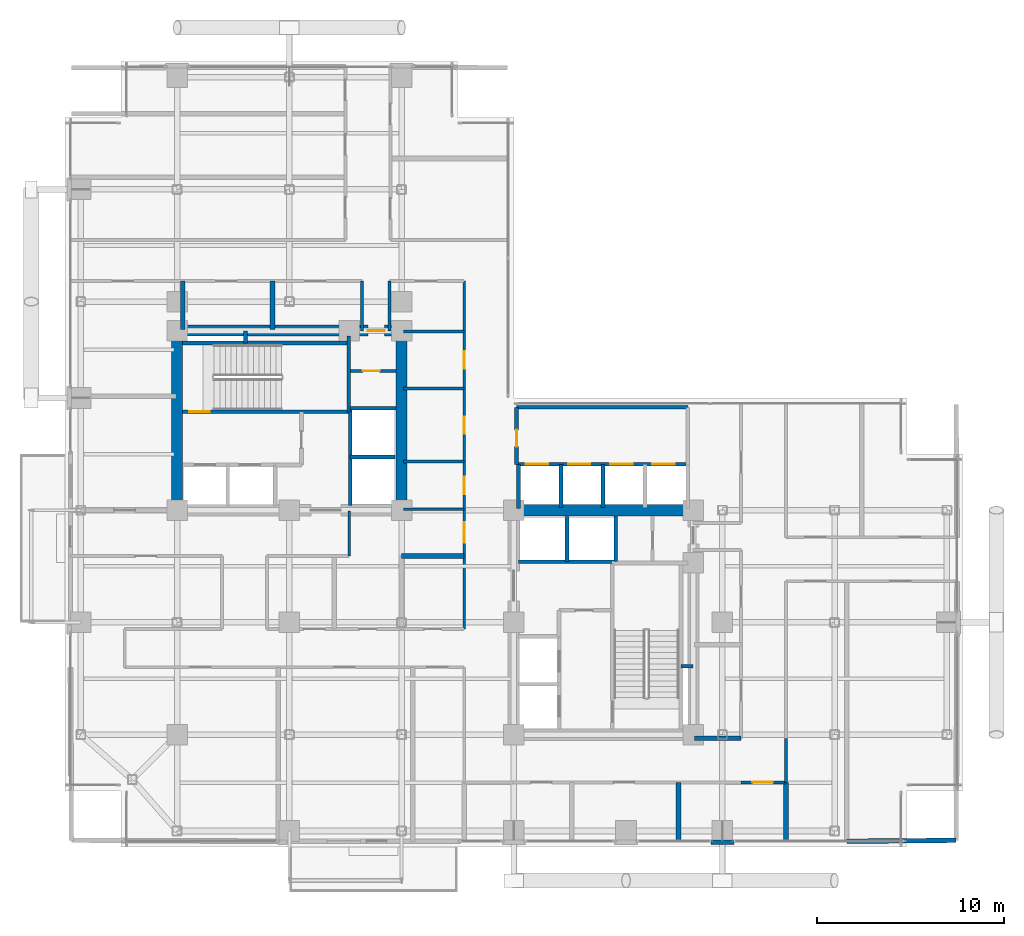
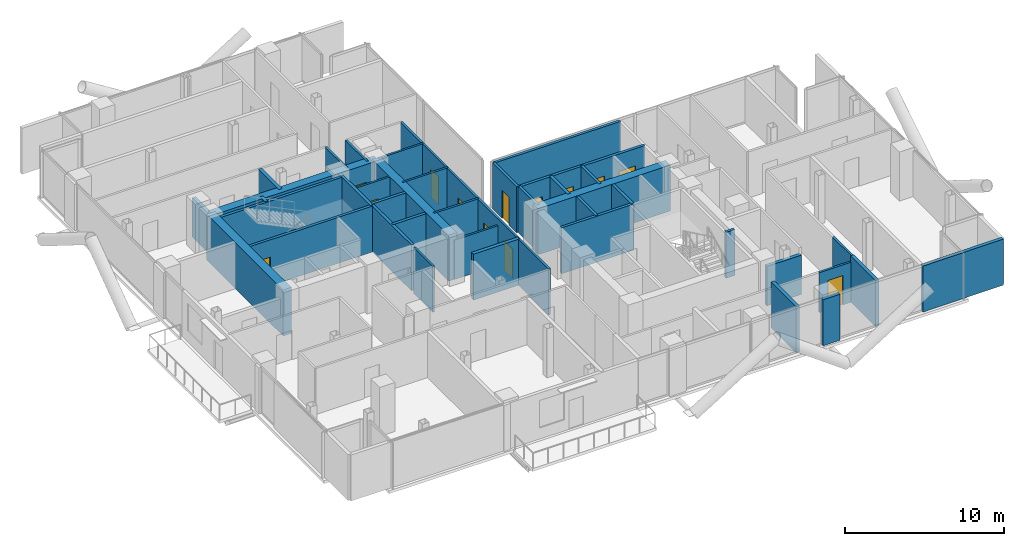
# One storey, part 20 of 24: 40 walls, 13 doors, 13 openings.
"""IFC4 building model written with IfcOpenShell, lengths in metres."""

from ifc_helpers import new_model, si_unit, direction, frame, frame_2d, origin, place, context, subcontext, project, spatial, rectangle, extrude, material, layer, layer_set, type_object, element, fill, save


model = new_model("IFC4")

# Units and contexts
model_context = context("Model", 3, precision=1e-05, world=origin(), true_north=direction((0.0, 1.0)))
body_context = subcontext(model_context, "Body", "Model", "MODEL_VIEW")
ifc_project = project(units=[si_unit("LENGTHUNIT", "METRE"), si_unit("AREAUNIT", "SQUARE_METRE"), si_unit("VOLUMEUNIT", "CUBIC_METRE"), si_unit("PLANEANGLEUNIT", "RADIAN"), si_unit("MASSUNIT", "GRAM", prefix="KILO"), si_unit("THERMODYNAMICTEMPERATUREUNIT", "KELVIN"), si_unit("POWERUNIT", "WATT")], contexts=[model_context])

# Site, building, storey
site_placement = place(None, origin())
site = spatial("IfcSite", under=ifc_project, at=site_placement, CompositionType="ELEMENT")
building_placement = place(site_placement, origin())
building = spatial("IfcBuilding", under=site, at=building_placement, Name="Svarakhadi Broadcast Tower", CompositionType="ELEMENT")
storey_placement = place(building_placement, frame((0.0, 0.0, 130.64990234375)))
storey = spatial("IfcBuildingStorey", under=building, at=storey_placement, Name="L31", CompositionType="ELEMENT", Elevation=130.64990234375)

# Walls
ifc_material_1 = material(Name="Double-Stud Acoustic Studio Partition STC-62", Category="gypsum")
ifc_layer_1 = layer(ifc_material_1, 0.25)
ifc_layer_set_1 = layer_set([ifc_layer_1], Name="Double-Stud Acoustic Studio Partition STC-62")
wall_type_1 = type_object("IfcWallType", Name="Wall_Acoust_250", PredefinedType="PARTITIONING", material=ifc_layer_set_1)
wall_1_placement = place(storey_placement, frame((18.0, 15.550048828125, 0.0), z_axis=(0.0, 0.0, 1.0), x_axis=(1.0, 0.0, 0.0)))
element("IfcWall", 1, at=wall_1_placement, inside=storey, type_object=wall_type_1, Name="L31 Accessible Floor Washroom WC Wall", PredefinedType="PARTITIONING", context=body_context, shape_type="SweptSolid", body=[
    extrude(rectangle(XDim=3.35009765625, YDim=0.25, at=frame_2d((1.675048828125, 0.0))), origin(), (0.0, 0.0, 1.0), 3.525146484375),
])
for number, where, z_axis, x_axis, name in (
    (2, (32.800048828125, 0.300048828125, 0.0), (0.0, 0.0, 1.0), (0.0, 1.0, 0.0), "L31 Client Preview Briefing Room Wall"),
    (3, (38.550048828125, 0.300048828125, 0.0), (0.0, 0.0, 1.0), (0.0, 1.0, 0.0), "L31 Artisanal Espresso Bar Wall"),
):
    element("IfcWall", number, at=place(storey_placement, frame(where, z_axis=z_axis, x_axis=x_axis)), inside=storey, type_object=wall_type_1, Name=name, PredefinedType="PARTITIONING", context=body_context, shape_type="SweptSolid", body=[
        extrude(rectangle(XDim=3.14990234375, YDim=0.25, at=frame_2d((1.574951171875, 0.0))), origin(), (0.0, 0.0, 1.0), 3.525146484375),
    ])
wall_2_placement = place(storey_placement, frame((6.300048828125, 27.64990234375, 0.0), z_axis=(0.0, 0.0, 1.0), x_axis=(0.0, 1.0, 0.0)))
element("IfcWall", 4, at=wall_2_placement, inside=storey, type_object=wall_type_1, Name="L31 Acoustic Dubbing Booth Wall", PredefinedType="PARTITIONING", context=body_context, shape_type="SweptSolid", body=[
    extrude(rectangle(XDim=2.60009765625, YDim=0.25, at=frame_2d((1.300048828125, 0.0))), origin(), (0.0, 0.0, 1.0), 3.01708984375),
])
wall_3_placement = place(storey_placement, frame((11.10009765625, 27.64990234375, 0.0), z_axis=(0.0, 0.0, 1.0), x_axis=(0.0, 1.0, 0.0)))
element("IfcWall", 5, at=wall_3_placement, inside=storey, type_object=wall_type_1, Name="L31 Acoustic Dubbing Booth Wall", PredefinedType="PARTITIONING", context=body_context, shape_type="SweptSolid", body=[
    extrude(rectangle(XDim=2.60009765625, YDim=0.25, at=frame_2d((1.300048828125, 0.0))), origin(), (0.0, 0.0, 1.0), 3.525146484375),
])
wall_4_placement = place(storey_placement, frame((33.64990234375, 5.800048828125, 0.0), z_axis=(0.0, 0.0, 1.0), x_axis=(1.0, 0.0, 0.0)))
element("IfcWall", 6, at=wall_4_placement, inside=storey, type_object=wall_type_1, Name="L31 Media Playout Monitoring Office Wall", PredefinedType="PARTITIONING", context=body_context, shape_type="SweptSolid", body=[
    extrude(rectangle(XDim=2.5, YDim=0.25, at=frame_2d((1.25, 0.0))), origin(), (0.0, 0.0, 1.0), 3.01708984375),
])
wall_5_placement = place(storey_placement, frame((41.800048828125, 0.300048828125, 0.0), z_axis=(0.0, 0.0, 1.0), x_axis=(0.999963403125, 0.00855525636, 0.0)))
element("IfcWall", 7, at=wall_5_placement, inside=storey, type_object=wall_type_1, Name="L31 Publicity Lounge Wall", PredefinedType="PARTITIONING", context=body_context, shape_type="SweptSolid", body=[
    extrude(rectangle(XDim=5.85009765625, YDim=0.25, at=frame_2d((2.925048828125, 0.0))), origin(), (0.0, 0.0, 1.0), 3.525146484375),
])
ifc_material_2 = material(Name="Concrete C40/50 (IS 456 M50)", Category="concrete")
ifc_layer_2 = layer(ifc_material_2, 0.239990234375)
ifc_layer_set_2 = layer_set([ifc_layer_2], Name="Concrete C40/50 (IS 456 M50)")
wall_type_2 = type_object("IfcWallType", Name="Wall_Ext_240", PredefinedType="SOLIDWALL", material=ifc_layer_set_2)
wall_6_placement = place(storey_placement, frame((35.764892578125, 0.239990234375, 0.0), z_axis=(0.0, 0.0, 1.0), x_axis=(-1.0, 0.0, 0.0)))
element("IfcWall", 8, at=wall_6_placement, inside=storey, type_object=wall_type_2, Name="L31 Perimeter Bronze Spandrel Closure Wall 07", PredefinedType="SOLIDWALL", context=body_context, shape_type="SweptSolid", body=[
    extrude(rectangle(XDim=1.22998046875, YDim=0.239990234375, at=frame_2d((0.614990234375, 0.0))), origin(), (0.0, 0.0, 1.0), 3.525146484375),
])
ifc_layer_3 = layer(ifc_material_2, 0.199951171875)
ifc_layer_set_3 = layer_set([ifc_layer_3], Name="Concrete C40/50 (IS 456 M50)")
wall_type_3 = type_object("IfcWallType", Name="Wall_Fire_200", PredefinedType="SOLIDWALL", material=ifc_layer_set_3)
for number, where, z_axis, x_axis, name in (
    (9, (9.659912109375, 26.93994140625, 0.0), (0.0, 0.0, 1.0), (0.0, 1.0, 0.0), "L31 Wet Riser Shaft East Wall"),
    (10, (32.93994140625, 9.659912109375, 0.0), (0.0, 0.0, 1.0), (1.0, 0.0, 0.0), "L31 HV Busduct Riser Shaft North Wall"),
):
    element("IfcWall", number, at=place(storey_placement, frame(where, z_axis=z_axis, x_axis=x_axis)), inside=storey, type_object=wall_type_3, Name=name, PredefinedType="SOLIDWALL", context=body_context, shape_type="SweptSolid", body=[
        extrude(rectangle(XDim=0.64013671875, YDim=0.199951171875, at=frame_2d((0.320068359375, 0.0))), origin(), (0.0, 0.0, 1.0), 3.525146484375),
    ])

# Wall, opening, door
ifc_material_3 = material(Name="Autoclaved Aerated Concrete Blockwork 150 mm", Category="masonry")
ifc_layer_4 = layer(ifc_material_3, 0.14990234375)
ifc_layer_set_4 = layer_set([ifc_layer_4], Name="Autoclaved Aerated Concrete Blockwork 150 mm")
wall_type_4 = type_object("IfcWallType", Name="Wall_Part_150", PredefinedType="PARTITIONING", material=ifc_layer_set_4)
wall_7_placement = place(storey_placement, frame((15.280029296875, 25.43994140625, 0.0), z_axis=(0.0, 0.0, 1.0), x_axis=(1.0, 0.0, 0.0)))
wall_7 = element("IfcWall", 11, at=wall_7_placement, inside=storey, type_object=wall_type_4, Name="L31 West Core Dual Store Wall", PredefinedType="PARTITIONING", context=body_context, shape_type="SweptSolid", body=[
    extrude(rectangle(XDim=2.419921875, YDim=0.14990234375, at=frame_2d((1.2099609375, 0.0))), origin(), (0.0, 0.0, 1.0), 3.525146484375),
])
opening_1_placement = place(wall_7_placement, frame((0.64990234375, 0.0, 0.0)))
opening_1 = element("IfcOpeningElement", 12, at=opening_1_placement, cuts=wall_7, Name="Opening D-03", PredefinedType="OPENING", context=body_context, shape_type="SweptSolid", body=[
    extrude(rectangle(XDim=0.89990234375, YDim=2.14990234375, at=frame_2d((0.449951171875, 1.074951171875))), frame((0.0, 0.0849609375, 0.0), z_axis=(0.0, -1.0, 0.0), x_axis=(1.0, 0.0, 0.0)), (0.0, 0.0, 1.0), 0.169921875),
])
ifc_material_4 = material(Name="Galvanised Powder-Coated Fire-Rated Steel Leaf", Category="steel")
door_type_1 = type_object("IfcDoorType", Name="Door_Fire_D03", OperationType="SINGLE_SWING_LEFT", PredefinedType="DOOR", material=ifc_material_4)
door_1_placement = place(opening_1_placement, origin())
door_1 = element("IfcDoor", 13, at=door_1_placement, inside=storey, type_object=door_type_1, Name="L31 West Core Store B Door", OperationType="SINGLE_SWING_LEFT", OverallHeight=2.14990234375, OverallWidth=0.89990234375, PredefinedType="DOOR", context=body_context, shape_type="SweptSolid", body=[
    extrude(rectangle(XDim=0.89990234375, YDim=2.14990234375, at=frame_2d((0.449951171875, 1.074951171875))), frame((0.0, 0.02490234375, 0.0), z_axis=(0.0, -1.0, 0.0), x_axis=(1.0, 0.0, 0.0)), (0.0, 0.0, 1.0), 0.050048828125),
])
fill(opening_1, door_1)

# Wall
wall_8_placement = place(storey_placement, frame((38.550048828125, 5.800048828125, 0.0), z_axis=(0.0, 0.0, 1.0), x_axis=(0.0, -1.0, 0.0)))
element("IfcWall", 14, at=wall_8_placement, inside=storey, type_object=wall_type_4, Name="L31 Zone 2/3 Corridor Wall", PredefinedType="PARTITIONING", context=body_context, shape_type="SweptSolid", body=[
    extrude(rectangle(XDim=2.35009765625, YDim=0.14990234375, at=frame_2d((1.175048828125, 0.0))), origin(), (0.0, 0.0, 1.0), 3.525146484375),
])

# Wall, opening, door
wall_9_placement = place(storey_placement, frame((38.550048828125, 3.449951171875, 0.0), z_axis=(0.0, 0.0, 1.0), x_axis=(-1.0, 0.0, 0.0)))
wall_9 = element("IfcWall", 15, at=wall_9_placement, inside=storey, type_object=wall_type_4, Name="L31 Zone 2/3 Corridor Wall", PredefinedType="PARTITIONING", context=body_context, shape_type="SweptSolid", body=[
    extrude(rectangle(XDim=2.400146484375, YDim=0.14990234375, at=frame_2d((1.2001953125, 0.0))), origin(), (0.0, 0.0, 1.0), 3.067138671875),
])
opening_2_placement = place(wall_9_placement, frame((0.699951171875, 0.0, 0.0)))
opening_2 = element("IfcOpeningElement", 16, at=opening_2_placement, cuts=wall_9, Name="Opening D-10", PredefinedType="OPENING", context=body_context, shape_type="SweptSolid", body=[
    extrude(rectangle(XDim=1.10009765625, YDim=2.25, at=frame_2d((0.550048828125, 1.125))), frame((0.0, 0.0849609375, 0.0), z_axis=(0.0, -1.0, 0.0), x_axis=(1.0, 0.0, 0.0)), (0.0, 0.0, 1.0), 0.169921875),
])
ifc_material_5 = material(Name="Solid-Core Teak Veneer Acoustic Timber Leaf", Category="wood")
door_type_2 = type_object("IfcDoorType", Name="Door_Acoust_D10", OperationType="SINGLE_SWING_LEFT", PredefinedType="DOOR", material=ifc_material_5)
door_2_placement = place(opening_2_placement, origin())
door_2 = element("IfcDoor", 17, at=door_2_placement, inside=storey, type_object=door_type_2, Name="L31 Artisanal Espresso Bar Door", OperationType="SINGLE_SWING_LEFT", OverallHeight=2.25, OverallWidth=1.10009765625, PredefinedType="DOOR", context=body_context, shape_type="SweptSolid", body=[
    extrude(rectangle(XDim=1.10009765625, YDim=2.25, at=frame_2d((0.550048828125, 1.125))), frame((0.0, 0.02490234375, 0.0), z_axis=(0.0, -1.0, 0.0), x_axis=(1.0, 0.0, 0.0)), (0.0, 0.0, 1.0), 0.050048828125),
])
fill(opening_2, door_2)

# Wall
wall_10_placement = place(storey_placement, frame((15.199951171875, 17.949951171875, 0.0), z_axis=(0.0, 0.0, 1.0), x_axis=(0.0, -1.0, 0.0)))
element("IfcWall", 18, at=wall_10_placement, inside=storey, type_object=wall_type_4, Name="L31 Zone 2/3 Corridor Wall", PredefinedType="PARTITIONING", context=body_context, shape_type="SweptSolid", body=[
    extrude(rectangle(XDim=2.39990234375, YDim=0.14990234375, at=frame_2d((1.199951171875, 0.0))), origin(), (0.0, 0.0, 1.0), 3.525146484375),
])

# Wall, openings, doors
wall_11_placement = place(storey_placement, frame((21.35009765625, 11.64990234375, 0.0), z_axis=(0.0, 0.0, 1.0), x_axis=(0.0, 1.0, 0.0)))
wall_11 = element("IfcWall", 19, at=wall_11_placement, inside=storey, type_object=wall_type_4, Name="L31 Zone 2/3 Corridor Wall", PredefinedType="PARTITIONING", context=body_context, shape_type="SweptSolid", body=[
    extrude(rectangle(XDim=18.60009765625, YDim=0.14990234375, at=frame_2d((9.300048828125, 0.0))), origin(), (0.0, 0.0, 1.0), 3.525146484375),
])
opening_3_placement = place(wall_11_placement, frame((7.199951171875, 0.0, 0.0)))
opening_3 = element("IfcOpeningElement", 20, at=opening_3_placement, cuts=wall_11, Name="Opening D-06", PredefinedType="OPENING", context=body_context, shape_type="SweptSolid", body=[
    extrude(rectangle(XDim=0.949951171875, YDim=2.14990234375, at=frame_2d((0.47509765625, 1.074951171875))), frame((0.0, 0.0849609375, 0.0), z_axis=(0.0, -1.0, 0.0), x_axis=(1.0, 0.0, 0.0)), (0.0, 0.0, 1.0), 0.169921875),
])
opening_4_placement = place(wall_11_placement, frame((10.449951171875, 0.0, 0.0)))
opening_4 = element("IfcOpeningElement", 21, at=opening_4_placement, cuts=wall_11, Name="Opening D-13", PredefinedType="OPENING", context=body_context, shape_type="SweptSolid", body=[
    extrude(rectangle(XDim=0.89990234375, YDim=2.10009765625, at=frame_2d((0.449951171875, 1.050048828125))), frame((0.0, 0.0849609375, 0.0), z_axis=(0.0, -1.0, 0.0), x_axis=(1.0, 0.0, 0.0)), (0.0, 0.0, 1.0), 0.169921875),
])
opening_5_placement = place(wall_11_placement, frame((13.89990234375, 0.0, 0.0)))
opening_5 = element("IfcOpeningElement", 22, at=opening_5_placement, cuts=wall_11, Name="Opening D-06", PredefinedType="OPENING", context=body_context, shape_type="SweptSolid", body=[
    extrude(rectangle(XDim=0.949951171875, YDim=2.14990234375, at=frame_2d((0.47509765625, 1.074951171875))), frame((0.0, 0.0849609375, 0.0), z_axis=(0.0, -1.0, 0.0), x_axis=(1.0, 0.0, 0.0)), (0.0, 0.0, 1.0), 0.169921875),
])
opening_6_placement = place(wall_11_placement, frame((4.60009765625, 0.0, 0.0)))
opening_6 = element("IfcOpeningElement", 23, at=opening_6_placement, cuts=wall_11, Name="Opening D-11", PredefinedType="OPENING", context=body_context, shape_type="SweptSolid", body=[
    extrude(rectangle(XDim=1.10009765625, YDim=2.25, at=frame_2d((0.550048828125, 1.125))), frame((0.0, 0.0849609375, 0.0), z_axis=(0.0, -1.0, 0.0), x_axis=(1.0, 0.0, 0.0)), (0.0, 0.0, 1.0), 0.169921875),
])
door_type_3 = type_object("IfcDoorType", Name="Door_Acoust_D11", OperationType="SINGLE_SWING_RIGHT", PredefinedType="DOOR", material=ifc_material_5)
door_3_placement = place(opening_6_placement, origin())
door_3 = element("IfcDoor", 24, at=door_3_placement, inside=storey, type_object=door_type_3, Name="L31 Executive Review Pod Door", OperationType="SINGLE_SWING_RIGHT", OverallHeight=2.25, OverallWidth=1.10009765625, PredefinedType="DOOR", context=body_context, shape_type="SweptSolid", body=[
    extrude(rectangle(XDim=1.10009765625, YDim=2.25, at=frame_2d((0.550048828125, 1.125))), frame((0.0, 0.02490234375, 0.0), z_axis=(0.0, -1.0, 0.0), x_axis=(1.0, 0.0, 0.0)), (0.0, 0.0, 1.0), 0.050048828125),
])
fill(opening_6, door_3)
door_type_4 = type_object("IfcDoorType", Name="Door_Closet_D13", OperationType="SINGLE_SWING_RIGHT", PredefinedType="DOOR", material=ifc_material_5)
door_4_placement = place(opening_4_placement, origin())
door_4 = element("IfcDoor", 25, at=door_4_placement, inside=storey, type_object=door_type_4, Name="L31 Accessible Guest Washroom WC Door", OperationType="SINGLE_SWING_RIGHT", OverallHeight=2.10009765625, OverallWidth=0.89990234375, PredefinedType="DOOR", context=body_context, shape_type="SweptSolid", body=[
    extrude(rectangle(XDim=0.89990234375, YDim=2.10009765625, at=frame_2d((0.449951171875, 1.050048828125))), frame((0.0, 0.02490234375, 0.0), z_axis=(0.0, -1.0, 0.0), x_axis=(1.0, 0.0, 0.0)), (0.0, 0.0, 1.0), 0.050048828125),
])
fill(opening_4, door_4)
door_type_5 = type_object("IfcDoorType", Name="Door_Office_D06", OperationType="SINGLE_SWING_LEFT", PredefinedType="DOOR", material=ifc_material_5)
door_5_placement = place(opening_3_placement, origin())
door_5 = element("IfcDoor", 26, at=door_5_placement, inside=storey, type_object=door_type_5, Name="L31 Broadcast Editorial Review Office Door", OperationType="SINGLE_SWING_LEFT", OverallHeight=2.14990234375, OverallWidth=0.949951171875, PredefinedType="DOOR", context=body_context, shape_type="SweptSolid", body=[
    extrude(rectangle(XDim=0.949951171875, YDim=2.14990234375, at=frame_2d((0.47509765625, 1.074951171875))), frame((0.0, 0.02490234375, 0.0), z_axis=(0.0, -1.0, 0.0), x_axis=(1.0, 0.0, 0.0)), (0.0, 0.0, 1.0), 0.050048828125),
])
fill(opening_3, door_5)
door_6_placement = place(opening_5_placement, origin())
door_6 = element("IfcDoor", 27, at=door_6_placement, inside=storey, type_object=door_type_5, Name="L31 Quiet Focus Booth Door", OperationType="SINGLE_SWING_LEFT", OverallHeight=2.14990234375, OverallWidth=0.949951171875, PredefinedType="DOOR", context=body_context, shape_type="SweptSolid", body=[
    extrude(rectangle(XDim=0.949951171875, YDim=2.14990234375, at=frame_2d((0.47509765625, 1.074951171875))), frame((0.0, 0.02490234375, 0.0), z_axis=(0.0, -1.0, 0.0), x_axis=(1.0, 0.0, 0.0)), (0.0, 0.0, 1.0), 0.050048828125),
])
fill(opening_5, door_6)

# Walls
for number, where, z_axis, x_axis, name in (
    (28, (17.35009765625, 30.25, 0.0), (0.0, 0.0, 1.0), (0.0, -1.0, 0.0), "L31 Zone 2/3 Corridor Wall"),
    (29, (15.8798828125, 27.580078125, 0.0), (0.0, 0.0, 1.0), (0.0, 1.0, 0.0), "L31 Zone 2/3 Corridor Wall"),
):
    element("IfcWall", number, at=place(storey_placement, frame(where, z_axis=z_axis, x_axis=x_axis)), inside=storey, type_object=wall_type_4, Name=name, PredefinedType="PARTITIONING", context=body_context, shape_type="SweptSolid", body=[
        extrude(rectangle(XDim=2.669921875, YDim=0.14990234375, at=frame_2d((1.3349609375, 0.0))), origin(), (0.0, 0.0, 1.0), 3.525146484375),
    ])
wall_12_placement = place(storey_placement, frame((18.10009765625, 18.050048828125, 0.0), z_axis=(0.0, 0.0, 1.0), x_axis=(1.0, 0.0, 0.0)))
element("IfcWall", 30, at=wall_12_placement, inside=storey, type_object=wall_type_4, Name="L31 Broadcast Editorial Review Office Wall", PredefinedType="PARTITIONING", context=body_context, shape_type="SweptSolid", body=[
    extrude(rectangle(XDim=3.25, YDim=0.14990234375, at=frame_2d((1.625, 0.0))), origin(), (0.0, 0.0, 1.0), 3.01708984375),
])
for number, where, z_axis, x_axis, name in (
    (31, (18.10009765625, 20.60009765625, 0.0), (0.0, 0.0, 1.0), (1.0, 0.0, 0.0), "L31 Broadcast Editorial Review Office Wall"),
    (32, (18.10009765625, 24.5, 0.0), (0.0, 0.0, 1.0), (1.0, 0.0, 0.0), "L31 Accessible Guest Washroom WC Wall"),
    (33, (18.10009765625, 27.550048828125, 0.0), (0.0, 0.0, 1.0), (1.0, 0.0, 0.0), "L31 Quiet Focus Booth Wall"),
):
    element("IfcWall", number, at=place(storey_placement, frame(where, z_axis=z_axis, x_axis=x_axis)), inside=storey, type_object=wall_type_4, Name=name, PredefinedType="PARTITIONING", context=body_context, shape_type="SweptSolid", body=[
        extrude(rectangle(XDim=3.25, YDim=0.14990234375, at=frame_2d((1.625, 0.0))), origin(), (0.0, 0.0, 1.0), 3.525146484375),
    ])

# Wall, opening, door
ifc_material_6 = material(Name="Concrete C50/60 (IS 456 M60)", Category="concrete")
ifc_layer_5 = layer(ifc_material_6, 0.199951171875)
ifc_layer_set_5 = layer_set([ifc_layer_5], Name="Concrete C50/60 (IS 456 M60)")
wall_type_5 = type_object("IfcWallType", Name="Wall_Shear_200", PredefinedType="SHEAR", material=ifc_layer_set_5)
wall_13_placement = place(storey_placement, frame((6.300048828125, 23.260009765625, 0.0), z_axis=(0.0, 0.0, 1.0), x_axis=(1.0, 0.0, 0.0)))
wall_13 = element("IfcWall", 34, at=wall_13_placement, inside=storey, type_object=wall_type_5, Name="L31 Stair ST-01 South RC Shaft Wall", PredefinedType="SHEAR", context=body_context, shape_type="SweptSolid", body=[
    extrude(rectangle(XDim=8.8798828125, YDim=0.199951171875, at=frame_2d((4.43994140625, 0.0))), origin(), (0.0, 0.0, 1.0), 3.525146484375),
])
opening_7_placement = place(wall_13_placement, frame((0.35009765625, 0.0, 0.0)))
opening_7 = element("IfcOpeningElement", 35, at=opening_7_placement, cuts=wall_13, Name="Opening D-01", PredefinedType="OPENING", context=body_context, shape_type="SweptSolid", body=[
    extrude(rectangle(XDim=1.10009765625, YDim=2.199951171875, at=frame_2d((0.550048828125, 1.10009765625))), frame((0.0, 0.10986328125, 0.0), z_axis=(0.0, -1.0, 0.0), x_axis=(1.0, 0.0, 0.0)), (0.0, 0.0, 1.0), 0.219970703125),
])
door_type_6 = type_object("IfcDoorType", Name="Door_Stair_D01", OperationType="SINGLE_SWING_LEFT", PredefinedType="DOOR", material=ifc_material_4)
door_7_placement = place(opening_7_placement, origin())
door_7 = element("IfcDoor", 36, at=door_7_placement, inside=storey, type_object=door_type_6, Name="L31 Protected Exit Stair ST-01 Fire Door", OperationType="SINGLE_SWING_LEFT", OverallHeight=2.199951171875, OverallWidth=1.10009765625, PredefinedType="DOOR", context=body_context, shape_type="SweptSolid", body=[
    extrude(rectangle(XDim=1.10009765625, YDim=2.199951171875, at=frame_2d((0.550048828125, 1.10009765625))), frame((0.0, 0.02490234375, 0.0), z_axis=(0.0, -1.0, 0.0), x_axis=(1.0, 0.0, 0.0)), (0.0, 0.0, 1.0), 0.050048828125),
])
fill(opening_7, door_7)

# Walls
wall_14_placement = place(storey_placement, frame((6.300048828125, 26.93994140625, 0.0), z_axis=(0.0, 0.0, 1.0), x_axis=(1.0, 0.0, 0.0)))
element("IfcWall", 37, at=wall_14_placement, inside=storey, type_object=wall_type_5, Name="L31 Stair ST-01 North RC Shaft Wall", PredefinedType="SHEAR", context=body_context, shape_type="SweptSolid", body=[
    extrude(rectangle(XDim=8.8798828125, YDim=0.199951171875, at=frame_2d((4.43994140625, 0.0))), origin(), (0.0, 0.0, 1.0), 3.525146484375),
])
wall_15_placement = place(storey_placement, frame((15.179931640625, 23.260009765625, 0.0), z_axis=(0.0, 0.0, 1.0), x_axis=(0.0, 1.0, 0.0)))
element("IfcWall", 38, at=wall_15_placement, inside=storey, type_object=wall_type_5, Name="L31 Stair ST-01 East RC Shaft Wall", PredefinedType="SHEAR", context=body_context, shape_type="SweptSolid", body=[
    extrude(rectangle(XDim=4.0400390625, YDim=0.199951171875, at=frame_2d((2.02001953125, 0.0))), origin(), (0.0, 0.0, 1.0), 3.525146484375),
])
wall_16_placement = place(storey_placement, frame((15.25, 18.25, 0.0), z_axis=(0.0, 0.0, 1.0), x_axis=(0.0, 1.0, 0.0)))
element("IfcWall", 39, at=wall_16_placement, inside=storey, type_object=wall_type_5, Name="L31 High-Rise Lift LF-13/14 West Shaft Wall", PredefinedType="SHEAR", context=body_context, shape_type="SweptSolid", body=[
    extrude(rectangle(XDim=5.199951171875, YDim=0.199951171875, at=frame_2d((2.60009765625, 0.0))), origin(), (0.0, 0.0, 1.0), 3.525146484375),
])
wall_17_placement = place(storey_placement, frame((15.25, 20.85009765625, 0.0), z_axis=(0.0, 0.0, 1.0), x_axis=(1.0, 0.0, 0.0)))
element("IfcWall", 40, at=wall_17_placement, inside=storey, type_object=wall_type_5, Name="L31 High-Rise Lift LF-13/14 Divider", PredefinedType="SHEAR", context=body_context, shape_type="SweptSolid", body=[
    extrude(rectangle(XDim=2.39990234375, YDim=0.199951171875, at=frame_2d((1.199951171875, 0.0))), origin(), (0.0, 0.0, 1.0), 3.525146484375),
])
wall_18_placement = place(storey_placement, frame((15.25, 23.449951171875, 0.0), z_axis=(0.0, 0.0, 1.0), x_axis=(1.0, 0.0, 0.0)))
element("IfcWall", 41, at=wall_18_placement, inside=storey, type_object=wall_type_5, Name="L31 High-Rise Lift LF-13/14 North Wall", PredefinedType="SHEAR", context=body_context, shape_type="SweptSolid", body=[
    extrude(rectangle(XDim=2.449951171875, YDim=0.199951171875, at=frame_2d((1.22509765625, 0.0))), origin(), (0.0, 0.0, 1.0), 3.525146484375),
])
wall_19_placement = place(storey_placement, frame((24.25, 15.25, 0.0), z_axis=(0.0, 0.0, 1.0), x_axis=(1.0, 0.0, 0.0)))
element("IfcWall", 42, at=wall_19_placement, inside=storey, type_object=wall_type_5, Name="L31 High-Rise Lift LF-15/16 South Shaft Wall", PredefinedType="SHEAR", context=body_context, shape_type="SweptSolid", body=[
    extrude(rectangle(XDim=5.199951171875, YDim=0.199951171875, at=frame_2d((2.60009765625, 0.0))), origin(), (0.0, 0.0, 1.0), 3.525146484375),
])
wall_20_placement = place(storey_placement, frame((26.85009765625, 15.25, 0.0), z_axis=(0.0, 0.0, 1.0), x_axis=(0.0, 1.0, 0.0)))
element("IfcWall", 43, at=wall_20_placement, inside=storey, type_object=wall_type_5, Name="L31 High-Rise Lift LF-15/16 Divider", PredefinedType="SHEAR", context=body_context, shape_type="SweptSolid", body=[
    extrude(rectangle(XDim=2.39990234375, YDim=0.199951171875, at=frame_2d((1.199951171875, 0.0))), origin(), (0.0, 0.0, 1.0), 3.525146484375),
])
wall_21_placement = place(storey_placement, frame((29.449951171875, 15.25, 0.0), z_axis=(0.0, 0.0, 1.0), x_axis=(0.0, 1.0, 0.0)))
element("IfcWall", 44, at=wall_21_placement, inside=storey, type_object=wall_type_5, Name="L31 High-Rise Lift LF-15/16 East Wall", PredefinedType="SHEAR", context=body_context, shape_type="SweptSolid", body=[
    extrude(rectangle(XDim=2.449951171875, YDim=0.199951171875, at=frame_2d((1.22509765625, 0.0))), origin(), (0.0, 0.0, 1.0), 3.525146484375),
])
wall_22_placement = place(storey_placement, frame((24.25, 18.10009765625, 0.0), z_axis=(0.0, 0.0, 1.0), x_axis=(0.0, 1.0, 0.0)))
element("IfcWall", 45, at=wall_22_placement, inside=storey, type_object=wall_type_5, Name="L31 Bank B West Shaft Wall", PredefinedType="SHEAR", context=body_context, shape_type="SweptSolid", body=[
    extrude(rectangle(XDim=2.349853515625, YDim=0.199951171875, at=frame_2d((1.1748046875, 0.0))), origin(), (0.0, 0.0, 1.0), 3.525146484375),
])

# Wall, openings, doors
wall_23_placement = place(storey_placement, frame((24.25, 20.449951171875, 0.0), z_axis=(0.0, 0.0, 1.0), x_axis=(1.0, 0.0, 0.0)))
wall_23 = element("IfcWall", 46, at=wall_23_placement, inside=storey, type_object=wall_type_5, Name="L31 Bank B North Landing Wall", PredefinedType="SHEAR", context=body_context, shape_type="SweptSolid", body=[
    extrude(rectangle(XDim=9.050048828125, YDim=0.199951171875, at=frame_2d((4.52490234375, 0.0))), origin(), (0.0, 0.0, 1.0), 3.525146484375),
])
opening_8_placement = place(wall_23_placement, frame((0.39990234375, 0.0, 0.0)))
opening_8 = element("IfcOpeningElement", 47, at=opening_8_placement, cuts=wall_23, Name="Opening LD-02", PredefinedType="OPENING", context=body_context, shape_type="SweptSolid", body=[
    extrude(rectangle(XDim=1.199951171875, YDim=2.199951171875, at=frame_2d((0.60009765625, 1.10009765625))), frame((0.0, 0.10986328125, 0.0), z_axis=(0.0, -1.0, 0.0), x_axis=(1.0, 0.0, 0.0)), (0.0, 0.0, 1.0), 0.219970703125),
])
opening_9_placement = place(wall_23_placement, frame((2.64990234375, 0.0, 0.0)))
opening_9 = element("IfcOpeningElement", 48, at=opening_9_placement, cuts=wall_23, Name="Opening LD-02", PredefinedType="OPENING", context=body_context, shape_type="SweptSolid", body=[
    extrude(rectangle(XDim=1.199951171875, YDim=2.199951171875, at=frame_2d((0.60009765625, 1.10009765625))), frame((0.0, 0.10986328125, 0.0), z_axis=(0.0, -1.0, 0.0), x_axis=(1.0, 0.0, 0.0)), (0.0, 0.0, 1.0), 0.219970703125),
])
opening_10_placement = place(wall_23_placement, frame((4.89990234375, 0.0, 0.0)))
opening_10 = element("IfcOpeningElement", 49, at=opening_10_placement, cuts=wall_23, Name="Opening LD-02", PredefinedType="OPENING", context=body_context, shape_type="SweptSolid", body=[
    extrude(rectangle(XDim=1.199951171875, YDim=2.199951171875, at=frame_2d((0.60009765625, 1.10009765625))), frame((0.0, 0.10986328125, 0.0), z_axis=(0.0, -1.0, 0.0), x_axis=(1.0, 0.0, 0.0)), (0.0, 0.0, 1.0), 0.219970703125),
])
opening_11_placement = place(wall_23_placement, frame((7.14990234375, 0.0, 0.0)))
opening_11 = element("IfcOpeningElement", 50, at=opening_11_placement, cuts=wall_23, Name="Opening LD-02", PredefinedType="OPENING", context=body_context, shape_type="SweptSolid", body=[
    extrude(rectangle(XDim=1.199951171875, YDim=2.199951171875, at=frame_2d((0.60009765625, 1.10009765625))), frame((0.0, 0.10986328125, 0.0), z_axis=(0.0, -1.0, 0.0), x_axis=(1.0, 0.0, 0.0)), (0.0, 0.0, 1.0), 0.219970703125),
])
door_type_7 = type_object("IfcDoorType", Name="Door_Lift_LD02", OperationType="SLIDING_TO_RIGHT", PredefinedType="DOOR", material=ifc_material_4)
door_8_placement = place(opening_8_placement, origin())
door_8 = element("IfcDoor", 51, at=door_8_placement, inside=storey, type_object=door_type_7, Name="L31 Mid-Rise Lift LF-09 Landing Door", OperationType="SLIDING_TO_RIGHT", OverallHeight=2.199951171875, OverallWidth=1.199951171875, PredefinedType="DOOR", context=body_context, shape_type="SweptSolid", body=[
    extrude(rectangle(XDim=1.199951171875, YDim=2.199951171875, at=frame_2d((0.60009765625, 1.10009765625))), frame((0.0, 0.02490234375, 0.0), z_axis=(0.0, -1.0, 0.0), x_axis=(1.0, 0.0, 0.0)), (0.0, 0.0, 1.0), 0.050048828125),
])
fill(opening_8, door_8)
door_9_placement = place(opening_9_placement, origin())
door_9 = element("IfcDoor", 52, at=door_9_placement, inside=storey, type_object=door_type_7, Name="L31 Mid-Rise Lift LF-10 Landing Door", OperationType="SLIDING_TO_RIGHT", OverallHeight=2.199951171875, OverallWidth=1.199951171875, PredefinedType="DOOR", context=body_context, shape_type="SweptSolid", body=[
    extrude(rectangle(XDim=1.199951171875, YDim=2.199951171875, at=frame_2d((0.60009765625, 1.10009765625))), frame((0.0, 0.02490234375, 0.0), z_axis=(0.0, -1.0, 0.0), x_axis=(1.0, 0.0, 0.0)), (0.0, 0.0, 1.0), 0.050048828125),
])
fill(opening_9, door_9)
door_10_placement = place(opening_10_placement, origin())
door_10 = element("IfcDoor", 53, at=door_10_placement, inside=storey, type_object=door_type_7, Name="L31 Mid-Rise Lift LF-11 Landing Door", OperationType="SLIDING_TO_RIGHT", OverallHeight=2.199951171875, OverallWidth=1.199951171875, PredefinedType="DOOR", context=body_context, shape_type="SweptSolid", body=[
    extrude(rectangle(XDim=1.199951171875, YDim=2.199951171875, at=frame_2d((0.60009765625, 1.10009765625))), frame((0.0, 0.02490234375, 0.0), z_axis=(0.0, -1.0, 0.0), x_axis=(1.0, 0.0, 0.0)), (0.0, 0.0, 1.0), 0.050048828125),
])
fill(opening_10, door_10)
door_11_placement = place(opening_11_placement, origin())
door_11 = element("IfcDoor", 54, at=door_11_placement, inside=storey, type_object=door_type_7, Name="L31 Mid-Rise Lift LF-12 Landing Door", OperationType="SLIDING_TO_RIGHT", OverallHeight=2.199951171875, OverallWidth=1.199951171875, PredefinedType="DOOR", context=body_context, shape_type="SweptSolid", body=[
    extrude(rectangle(XDim=1.199951171875, YDim=2.199951171875, at=frame_2d((0.60009765625, 1.10009765625))), frame((0.0, 0.02490234375, 0.0), z_axis=(0.0, -1.0, 0.0), x_axis=(1.0, 0.0, 0.0)), (0.0, 0.0, 1.0), 0.050048828125),
])
fill(opening_11, door_11)

# Walls
for number, where, z_axis, x_axis, name in (
    (55, (26.52001953125, 18.14990234375, 0.0), (0.0, 0.0, 1.0), (0.0, 1.0, 0.0), "L31 Bank B Divider"),
    (56, (28.77001953125, 18.14990234375, 0.0), (0.0, 0.0, 1.0), (0.0, 1.0, 0.0), "L31 Bank B Divider"),
):
    element("IfcWall", number, at=place(storey_placement, frame(where, z_axis=z_axis, x_axis=x_axis)), inside=storey, type_object=wall_type_5, Name=name, PredefinedType="SHEAR", context=body_context, shape_type="SweptSolid", body=[
        extrude(rectangle(XDim=2.300048828125, YDim=0.199951171875, at=frame_2d((1.14990234375, 0.0))), origin(), (0.0, 0.0, 1.0), 3.525146484375),
    ])
wall_24_placement = place(storey_placement, frame((24.14990234375, 23.5, 0.0), z_axis=(0.0, 0.0, 1.0), x_axis=(1.0, 0.0, 0.0)))
element("IfcWall", 57, at=wall_24_placement, inside=storey, type_object=wall_type_5, Name="L31 Bank B Lift Hall North Wall", PredefinedType="SHEAR", context=body_context, shape_type="SweptSolid", body=[
    extrude(rectangle(XDim=9.150146484375, YDim=0.199951171875, at=frame_2d((4.5751953125, 0.0))), origin(), (0.0, 0.0, 1.0), 3.525146484375),
])

# Wall, opening, door
wall_25_placement = place(storey_placement, frame((24.14990234375, 20.449951171875, 0.0), z_axis=(0.0, 0.0, 1.0), x_axis=(0.0, 1.0, 0.0)))
wall_25 = element("IfcWall", 58, at=wall_25_placement, inside=storey, type_object=wall_type_5, Name="L31 Bank B Lift Hall West Wall", PredefinedType="SHEAR", context=body_context, shape_type="SweptSolid", body=[
    extrude(rectangle(XDim=3.050048828125, YDim=0.199951171875, at=frame_2d((1.52490234375, 0.0))), origin(), (0.0, 0.0, 1.0), 3.525146484375),
])
opening_12_placement = place(wall_25_placement, frame((0.949951171875, 0.0, 0.0)))
opening_12 = element("IfcOpeningElement", 59, at=opening_12_placement, cuts=wall_25, Name="Opening D-03", PredefinedType="OPENING", context=body_context, shape_type="SweptSolid", body=[
    extrude(rectangle(XDim=0.89990234375, YDim=2.14990234375, at=frame_2d((0.449951171875, 1.074951171875))), frame((0.0, 0.10986328125, 0.0), z_axis=(0.0, -1.0, 0.0), x_axis=(1.0, 0.0, 0.0)), (0.0, 0.0, 1.0), 0.219970703125),
])
door_12_placement = place(opening_12_placement, origin())
door_12 = element("IfcDoor", 60, at=door_12_placement, inside=storey, type_object=door_type_1, Name="L31 Mid-Rise Lift Hall West Corridor Door", OperationType="SINGLE_SWING_LEFT", OverallHeight=2.14990234375, OverallWidth=0.89990234375, PredefinedType="DOOR", context=body_context, shape_type="SweptSolid", body=[
    extrude(rectangle(XDim=0.89990234375, YDim=2.14990234375, at=frame_2d((0.449951171875, 1.074951171875))), frame((0.0, 0.02490234375, 0.0), z_axis=(0.0, -1.0, 0.0), x_axis=(1.0, 0.0, 0.0)), (0.0, 0.0, 1.0), 0.050048828125),
])
fill(opening_12, door_12)

ifc_material_7 = material(Name="Concrete C60/75 (IS 456 M70)", Category="concrete")
ifc_layer_6 = layer(ifc_material_7, 0.60009765625)
ifc_layer_set_6 = layer_set([ifc_layer_6], Name="Concrete C60/75 (IS 456 M70)")
wall_type_6 = type_object("IfcWallType", Name="Wall_Shear_600", PredefinedType="SHEAR", material=ifc_layer_set_6)
wall_26_placement = place(storey_placement, frame((6.0, 27.60009765625, 0.0), z_axis=(0.0, 0.0, 1.0), x_axis=(1.0, 0.0, 0.0)))
wall_26 = element("IfcWall", 61, at=wall_26_placement, inside=storey, type_object=wall_type_6, Name="L31 West Core North Shear Wall", PredefinedType="SHEAR", context=body_context, shape_type="SweptSolid", body=[
    extrude(rectangle(XDim=12.0, YDim=0.60009765625, at=frame_2d((6.0, 0.0))), origin(), (0.0, 0.0, 1.0), 3.525146484375),
])
opening_13_placement = place(wall_26_placement, frame((10.199951171875, 0.0, 0.0)))
opening_13 = element("IfcOpeningElement", 62, at=opening_13_placement, cuts=wall_26, Name="Opening D-04", PredefinedType="OPENING", context=body_context, shape_type="SweptSolid", body=[
    extrude(rectangle(XDim=0.89990234375, YDim=2.14990234375, at=frame_2d((0.449951171875, 1.074951171875))), frame((0.0, 0.31005859375, 0.0), z_axis=(0.0, -1.0, 0.0), x_axis=(1.0, 0.0, 0.0)), (0.0, 0.0, 1.0), 0.6201171875),
])
door_type_8 = type_object("IfcDoorType", Name="Door_Fire_D04", OperationType="SINGLE_SWING_RIGHT", PredefinedType="DOOR", material=ifc_material_4)
door_13_placement = place(opening_13_placement, origin())
door_13 = element("IfcDoor", 63, at=door_13_placement, inside=storey, type_object=door_type_8, Name="L31 West Core Store A Door", OperationType="SINGLE_SWING_RIGHT", OverallHeight=2.14990234375, OverallWidth=0.89990234375, PredefinedType="DOOR", context=body_context, shape_type="SweptSolid", body=[
    extrude(rectangle(XDim=0.89990234375, YDim=2.14990234375, at=frame_2d((0.449951171875, 1.074951171875))), frame((0.0, 0.02490234375, 0.0), z_axis=(0.0, -1.0, 0.0), x_axis=(1.0, 0.0, 0.0)), (0.0, 0.0, 1.0), 0.050048828125),
])
fill(opening_13, door_13)

# Walls
for number, where, z_axis, x_axis, name in (
    (64, (6.0, 18.0, 0.0), (0.0, 0.0, 1.0), (0.0, 1.0, 0.0), "L31 West Core West Shear Wall"),
    (65, (18.0, 18.0, 0.0), (0.0, 0.0, 1.0), (0.0, 1.0, 0.0), "L31 West Core East Shear Wall"),
    (66, (24.0, 18.0, 0.0), (0.0, 0.0, 1.0), (1.0, 0.0, 0.0), "L31 East Core North Shear Wall"),
):
    element("IfcWall", number, at=place(storey_placement, frame(where, z_axis=z_axis, x_axis=x_axis)), inside=storey, type_object=wall_type_6, Name=name, PredefinedType="SHEAR", context=body_context, shape_type="SweptSolid", body=[
        extrude(rectangle(XDim=9.60009765625, YDim=0.60009765625, at=frame_2d((4.800048828125, 0.0))), origin(), (0.0, 0.0, 1.0), 3.525146484375),
    ])

save(model, "model.ifc")
